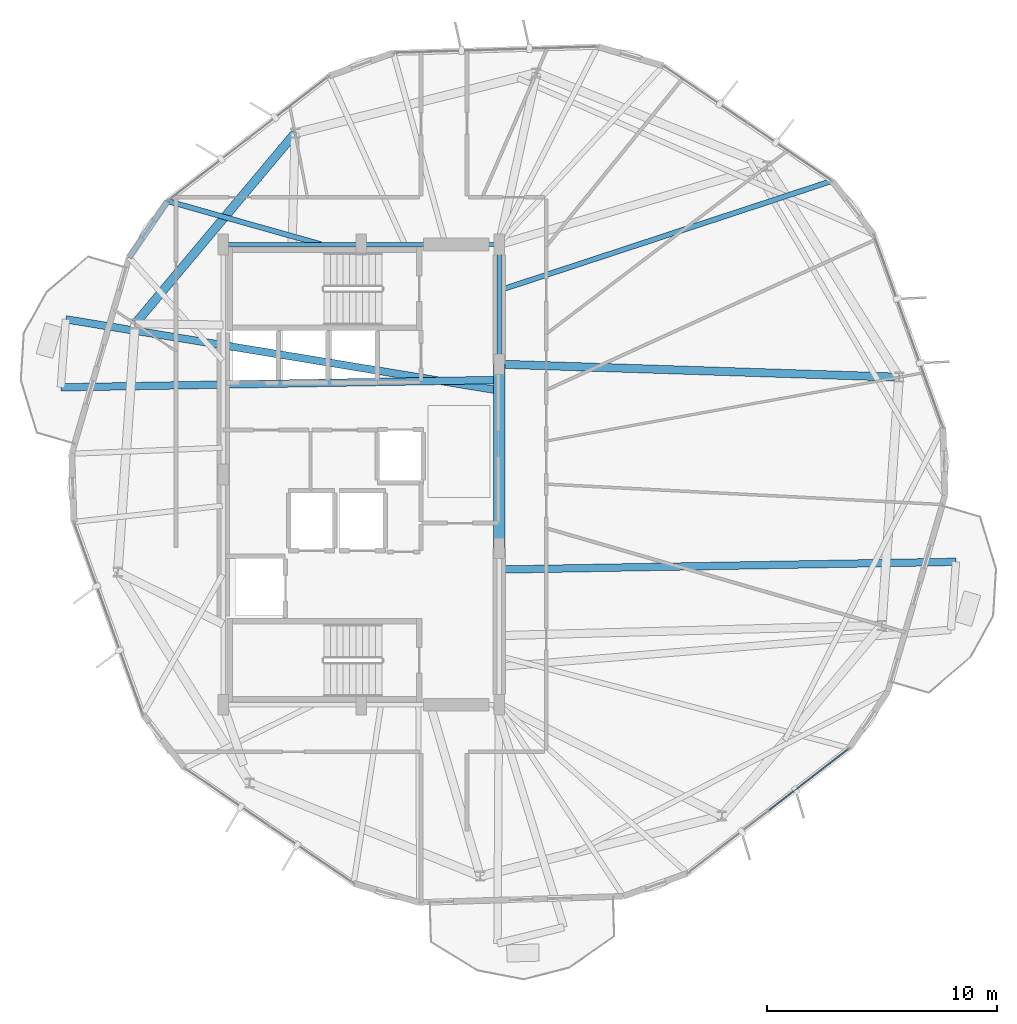
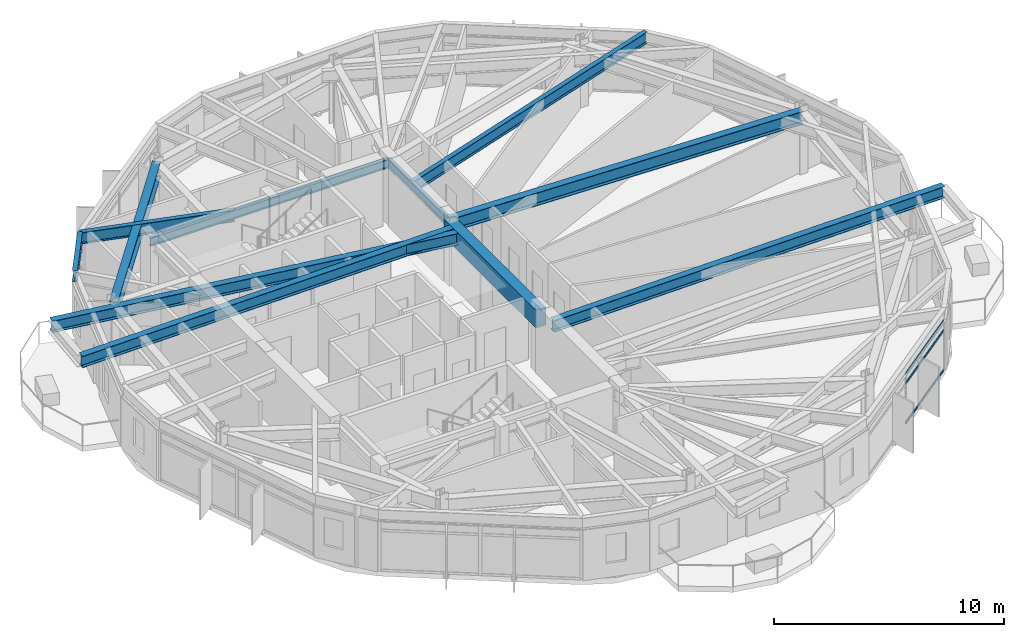
# One storey, part 8 of 23: 12 beams, 3 members, 1 element without a shape of its own.
"""IFC4 building model written with IfcOpenShell, lengths in metres."""

import ifcopenshell
import ifcopenshell.guid

model = None  # the IFC model being written
_history = None  # IfcOwnerHistory: only IFC2X3 demands one
_inside = {}  # id of a spatial element -> (the spatial element, [elements in it])
_under = {}  # id of a project, library or spatial element -> (it, [spatial elements below it])
_declared = {}  # id of a project -> (the project, [libraries it declares])
_typed = {}  # id of a type object -> (the type object, [elements of that type])
_made_of = {}  # id of a material, layer set ... -> (it, [elements and type objects made of it])


def new_model(schema):
    """Start an empty IFC model of exactly this schema.

    Asked for "IFC4X3", IfcOpenShell would pick the latest addendum, in which some entities
    have other attributes; the version numbers below select the first issue.
    IFC2X3 requires an IfcOwnerHistory on every rooted entity: one is made here for all.
    """
    global model, _history
    if schema == "IFC4X3":
        model = ifcopenshell.file(schema_version=(4, 3, 0, 0))
    else:
        model = ifcopenshell.file(schema=schema)
    _inside.clear()
    _under.clear()
    _declared.clear()
    _typed.clear()
    _made_of.clear()
    _history = None
    if model.schema == "IFC2X3":
        org = make("IfcOrganization", Name="unknown")
        user = make(
            "IfcPersonAndOrganization",
            ThePerson=make("IfcPerson", FamilyName="unknown"),
            TheOrganization=org,
        )
        app = make(
            "IfcApplication",
            ApplicationDeveloper=org,
            Version="unknown",
            ApplicationFullName="unknown",
            ApplicationIdentifier="unknown",
        )
        _history = make(
            "IfcOwnerHistory",
            OwningUser=user,
            OwningApplication=app,
            ChangeAction="ADDED",
            CreationDate=0,
        )
    return model


def make(cls, **values):
    """One entity of the class cls with the attributes given. An attribute that is None is left unset."""
    return model.create_entity(
        cls, **{name: value for name, value in values.items() if value is not None}
    )


def rooted(cls, **values):
    """An entity with a GlobalId (a new one), such as an element, a storey or a relation."""
    return make(cls, GlobalId=ifcopenshell.guid.new(), OwnerHistory=_history, **values)


def si_unit(unit_type, name, prefix=None):
    """IfcSIUnit, for example si_unit("LENGTHUNIT", "METRE", prefix="MILLI")."""
    return make("IfcSIUnit", UnitType=unit_type, Prefix=prefix, Name=name)


def assignment(units):
    """IfcUnitAssignment: the units of a project."""
    return None if units is None else make("IfcUnitAssignment", Units=units)


def point(xyz):
    """IfcCartesianPoint."""
    return None if xyz is None else make("IfcCartesianPoint", Coordinates=xyz)


def direction(xyz):
    """IfcDirection."""
    return None if xyz is None else make("IfcDirection", DirectionRatios=xyz)


def frame(location, z_axis=None, x_axis=None):
    """IfcAxis2Placement3D, a coordinate frame: its origin and axes. An axis left out is left unset."""
    return make(
        "IfcAxis2Placement3D",
        Location=point(location),
        Axis=direction(z_axis),
        RefDirection=direction(x_axis),
    )


def frame_2d(location, x_axis=None):
    """IfcAxis2Placement2D, a coordinate frame in the plane: its origin and x axis."""
    return make(
        "IfcAxis2Placement2D", Location=point(location), RefDirection=direction(x_axis)
    )


def origin():
    """The frame at (0, 0, 0) with its axes left unset."""
    return frame((0.0, 0.0, 0.0))


def origin_2d():
    """The frame at (0, 0) in the plane with its x axis left unset."""
    return frame_2d((0.0, 0.0))


def place(relative_to, where):
    """IfcLocalPlacement: puts the frame where relative to a parent placement (None: the world)."""
    return make(
        "IfcLocalPlacement", PlacementRelTo=relative_to, RelativePlacement=where
    )


def context(
    kind, dimensions, precision=None, world=None, true_north=None, identifier=None
):
    """IfcGeometricRepresentationContext, for example the 3D "Model" context."""
    return make(
        "IfcGeometricRepresentationContext",
        ContextIdentifier=identifier,
        ContextType=kind,
        CoordinateSpaceDimension=dimensions,
        Precision=precision,
        WorldCoordinateSystem=world,
        TrueNorth=true_north,
    )


def subcontext(parent, identifier, kind, view, scale=None):
    """IfcGeometricRepresentationSubContext, for example "Body" below "Model"."""
    return make(
        "IfcGeometricRepresentationSubContext",
        ContextIdentifier=identifier,
        ContextType=kind,
        ParentContext=parent,
        TargetScale=scale,
        TargetView=view,
    )


def project(units=None, contexts=None):
    """IfcProject with its units and contexts."""
    return rooted(
        "IfcProject",
        Name="project",
        RepresentationContexts=contexts,
        UnitsInContext=assignment(units),
    )


def spatial(cls, under=None, at=None, **own):
    """A site, building, storey or space (cls), placed at a placement, below another one or the project."""
    s = rooted(cls, ObjectPlacement=at, **own)
    if under is not None:
        _under.setdefault(under.id(), (under, []))[1].append(s)
    return s


def profile(cls, at=None, kind="AREA", **sizes):
    """A parametric profile (cls). Its sizes go by their IFC names, for example OverallWidth=200.0."""
    return make(cls, ProfileType=kind, Position=at, **sizes)


def rectangle(**sizes):
    """IfcRectangleProfileDef."""
    return profile("IfcRectangleProfileDef", **sizes)


def hollow_rectangle(**sizes):
    """IfcRectangleHollowProfileDef."""
    return profile("IfcRectangleHollowProfileDef", **sizes)


def i_section(**sizes):
    """IfcIShapeProfileDef."""
    return profile("IfcIShapeProfileDef", **sizes)


def extrude(swept, where, along, depth):
    """IfcExtrudedAreaSolid: the profile swept, set in the frame where, extruded along a direction by depth."""
    return make(
        "IfcExtrudedAreaSolid",
        SweptArea=swept,
        Position=where,
        ExtrudedDirection=direction(along),
        Depth=depth,
    )


def shape(context_of_items, identifier, shape_type, items):
    """IfcShapeRepresentation: the items that make up one representation, for example the "Body"."""
    return make(
        "IfcShapeRepresentation",
        ContextOfItems=context_of_items,
        RepresentationIdentifier=identifier,
        RepresentationType=shape_type,
        Items=items,
    )


def material(Name=None, Category=None):
    """IfcMaterial."""
    return make("IfcMaterial", Name=Name, Category=Category)


def layer(
    of_material, thickness, ventilated=None, Name=None, Category=None, Priority=None
):
    """IfcMaterialLayer: one layer of a wall or slab, of a material (None: an air gap)."""
    return make(
        "IfcMaterialLayer",
        Material=of_material,
        LayerThickness=thickness,
        IsVentilated=ventilated,
        Name=Name,
        Category=Category,
        Priority=Priority,
    )


def layer_set(layers, Name=None):
    """IfcMaterialLayerSet."""
    return make("IfcMaterialLayerSet", MaterialLayers=layers, LayerSetName=Name)


def material_profile(
    of_material, cross_section, Name=None, Category=None, Priority=None
):
    """IfcMaterialProfile: a cross section and its material."""
    return make(
        "IfcMaterialProfile",
        Name=Name,
        Material=of_material,
        Profile=cross_section,
        Priority=Priority,
        Category=Category,
    )


def profile_set(profiles, Name=None, composite=None):
    """IfcMaterialProfileSet."""
    return make(
        "IfcMaterialProfileSet",
        Name=Name,
        MaterialProfiles=profiles,
        CompositeProfile=composite,
    )


def made_of(thing, what):
    """Note that an element or type object is made of a material, layer set ...; save() writes the relation."""
    if what is not None:
        _made_of.setdefault(what.id(), (what, []))[1].append(thing)
    return thing


def type_object(cls, material=None, **own):
    """A type object (cls), such as IfcWallType, which elements share."""
    return made_of(rooted(cls, **own), material)


def element(
    cls,
    number,
    at=None,
    inside=None,
    cuts=None,
    type_object=None,
    material=None,
    context=None,
    identifier="Body",
    shape_type=None,
    held_by="IfcProductDefinitionShape",
    body=None,
    shapes=None,
    **own,
):
    """One element of the class cls, such as IfcWall. Its Tag is "e" and its number.

    at: its placement. inside: the storey or other place that contains it. cuts: it is an
    opening in that element (IfcRelVoidsElement). A single representation is given by context,
    identifier, shape_type and body (its items); several are given by shapes. held_by: the class
    of the entity that holds the representations. save() writes the other relations.
    """
    e = rooted(cls, Tag="e%d" % number, ObjectPlacement=at, **own)
    if body is not None:
        shapes = [shape(context, identifier, shape_type, body)]
    if shapes is not None:
        e.Representation = make(held_by, Representations=shapes)
    if inside is not None:
        _inside.setdefault(inside.id(), (inside, []))[1].append(e)
    if cuts is not None:
        rooted(
            "IfcRelVoidsElement", RelatingBuildingElement=cuts, RelatedOpeningElement=e
        )
    if type_object is not None:
        _typed.setdefault(type_object.id(), (type_object, []))[1].append(e)
    return made_of(e, material)


def aggregate(whole, parts):
    """IfcRelAggregates: a whole, such as a stair, and the parts it consists of."""
    return rooted("IfcRelAggregates", RelatingObject=whole, RelatedObjects=parts)


def save(model, path):
    """Write the relations noted so far, then the file.

    IfcRelAggregates (storeys below a building ...), IfcRelContainedInSpatialStructure (elements
    in a storey), IfcRelDefinesByType, IfcRelAssociatesMaterial and IfcRelDeclares: one each for
    every whole, place, type object, material and project.
    """
    for whole, parts in _under.values():
        aggregate(whole, parts)
    for where, things in _inside.values():
        rooted(
            "IfcRelContainedInSpatialStructure",
            RelatedElements=things,
            RelatingStructure=where,
        )
    for kind, things in _typed.values():
        rooted("IfcRelDefinesByType", RelatedObjects=things, RelatingType=kind)
    for what, things in _made_of.values():
        rooted("IfcRelAssociatesMaterial", RelatedObjects=things, RelatingMaterial=what)
    for by, libraries in _declared.values():
        rooted("IfcRelDeclares", RelatingContext=by, RelatedDefinitions=libraries)
    model.write(path)


model = new_model("IFC4")

# Units and contexts
model_context = context("Model", 3, precision=1e-05, world=origin(), true_north=direction((0.0, 1.0)))
body_context = subcontext(model_context, "Body", "Model", "MODEL_VIEW")
ifc_project = project(units=[si_unit("LENGTHUNIT", "METRE"), si_unit("AREAUNIT", "SQUARE_METRE"), si_unit("VOLUMEUNIT", "CUBIC_METRE"), si_unit("PLANEANGLEUNIT", "RADIAN"), si_unit("MASSUNIT", "GRAM", prefix="KILO")], contexts=[model_context])

# Site, building, storey
site_placement = place(None, origin())
site = spatial("IfcSite", under=ifc_project, at=site_placement, CompositionType="ELEMENT")
building_placement = place(site_placement, origin())
building = spatial("IfcBuilding", under=site, at=building_placement, Name="Soratama Intermodal Tower", CompositionType="ELEMENT")
storey_placement = place(building_placement, frame((0.0, 0.0, 171.39990234375)))
storey = spatial("IfcBuildingStorey", under=building, at=storey_placement, Name="L42", CompositionType="ELEMENT", Elevation=171.39990234375)

# Beams
ifc_material_1 = material(Name="Structural steel ASTM A992 Grade 50", Category="steel")
ifc_material_profile_1 = material_profile(ifc_material_1, i_section(OverallWidth=0.324951171875, OverallDepth=0.615966796875, WebThickness=0.013916015625, FlangeThickness=0.021484375, FilletRadius=0.013916015625, at=origin_2d()), Name="W24X117")
ifc_profile_set_1 = profile_set([ifc_material_profile_1], Name="Structural steel ASTM A992 Grade 50")
beam_type_1 = type_object("IfcBeamType", Name="BM-CANT-W24X117", PredefinedType="BEAM", material=ifc_profile_set_1)
beam_1_placement = place(storey_placement, frame((44.639892578125, 20.8720703125, 2.9921875), z_axis=(0.999856305587, 0.016951937265, 0.0), x_axis=(-0.016951937265, 0.999856305587, 0.0)))
element("IfcBeam", 1, at=beam_1_placement, inside=storey, type_object=beam_type_1, Name="BM-L42-CANT-1-2", PredefinedType="BEAM", context=body_context, shape_type="SweptSolid", body=[
    extrude(i_section(OverallWidth=0.324951171875, OverallDepth=0.615966796875, WebThickness=0.013916015625, FlangeThickness=0.021484375, FilletRadius=0.013916015625, at=origin_2d()), origin(), (0.0, 0.0, 1.0), 19.817138671875),
])
beam_2_placement = place(storey_placement, frame((44.367919921875, 28.69091796875, 2.9921875), z_axis=(-0.986758919318, 0.162193819691, 0.0), x_axis=(-0.162193819691, -0.986758919318, 0.0)))
element("IfcBeam", 2, at=beam_2_placement, inside=storey, type_object=beam_type_1, Name="BM-L42-CANT-2-1", PredefinedType="BEAM", context=body_context, shape_type="SweptSolid", body=[
    extrude(i_section(OverallWidth=0.324951171875, OverallDepth=0.615966796875, WebThickness=0.013916015625, FlangeThickness=0.021484375, FilletRadius=0.013916015625, at=origin_2d()), origin(), (0.0, 0.0, 1.0), 18.854736328125),
])
beam_3_placement = place(storey_placement, frame((44.364990234375, 29.111083984375, 2.9921875), z_axis=(-0.999856282276, -0.016953312156, 0.0), x_axis=(0.016953312156, -0.999856282276, 0.0)))
element("IfcBeam", 3, at=beam_3_placement, inside=storey, type_object=beam_type_1, Name="BM-L42-CANT-2-2", PredefinedType="BEAM", context=body_context, shape_type="SweptSolid", body=[
    extrude(i_section(OverallWidth=0.324951171875, OverallDepth=0.615966796875, WebThickness=0.013916015625, FlangeThickness=0.021484375, FilletRadius=0.013916015625, at=origin_2d()), origin(), (0.0, 0.0, 1.0), 18.82177734375),
])
ifc_material_2 = material(Name="Concrete f'c 56 MPa", Category="concrete")
ifc_material_profile_2 = material_profile(ifc_material_2, rectangle(XDim=0.5, YDim=0.949951171875, at=origin_2d()), Name="RC500X950")
ifc_profile_set_2 = profile_set([ifc_material_profile_2], Name="Concrete f'c 56 MPa")
beam_type_2 = type_object("IfcBeamType", Name="BM-CPL-RC500X950", PredefinedType="BEAM", material=ifc_profile_set_2)
beam_4_placement = place(storey_placement, frame((44.60009765625, 21.800048828125, 2.8251953125), z_axis=(0.0, 1.0, 0.0), x_axis=(-1.0, 0.0, 0.0)))
element("IfcBeam", 4, at=beam_4_placement, inside=storey, type_object=beam_type_2, Name="L42 Core Coupling Beam East", PredefinedType="BEAM", context=body_context, shape_type="SweptSolid", body=[
    extrude(rectangle(XDim=0.5, YDim=0.949951171875, at=origin_2d()), origin(), (0.0, 0.0, 1.0), 8.0),
])
ifc_material_3 = material(Name="Structural steel ASTM A992 Grade 50", Category="steel")
ifc_material_profile_3 = material_profile(ifc_material_3, i_section(OverallWidth=0.19091796875, OverallDepth=0.4599609375, WebThickness=0.010009765625, FlangeThickness=0.01611328125, FilletRadius=0.010986328125, at=origin_2d()), Name="W18X55")
ifc_profile_set_3 = profile_set([ifc_material_profile_3], Name="Structural steel ASTM A992 Grade 50")
beam_type_3 = type_object("IfcBeamType", Name="BM-FLR-W18X55", PredefinedType="BEAM", material=ifc_profile_set_3)
beam_5_placement = place(storey_placement, frame((44.60009765625, 29.800048828125, 3.070068359375), z_axis=(0.0, 1.0, 0.0), x_axis=(-1.0, 0.0, 0.0)))
element("IfcBeam", 5, at=beam_5_placement, inside=storey, type_object=beam_type_3, Name="BM-L42-CRING-05", PredefinedType="BEAM", context=body_context, shape_type="SweptSolid", body=[
    extrude(i_section(OverallWidth=0.19091796875, OverallDepth=0.4599609375, WebThickness=0.010009765625, FlangeThickness=0.01611328125, FilletRadius=0.010986328125, at=origin_2d()), origin(), (0.0, 0.0, 1.0), 5.199951171875),
])
for number, where, z_axis, x_axis, name in (
    (6, (44.60009765625, 35.0, 3.070068359375), (-1.0, 0.0, 0.0), (0.0, -1.0, 0.0), "BM-L42-CRING-06"),
    (7, (38.60009765625, 35.0, 3.070068359375), (-1.0, 0.0, 0.0), (0.0, -1.0, 0.0), "BM-L42-CRING-07"),
):
    element("IfcBeam", number, at=place(storey_placement, frame(where, z_axis=z_axis, x_axis=x_axis)), inside=storey, type_object=beam_type_3, Name=name, PredefinedType="BEAM", context=body_context, shape_type="SweptSolid", body=[
        extrude(i_section(OverallWidth=0.19091796875, OverallDepth=0.4599609375, WebThickness=0.010009765625, FlangeThickness=0.01611328125, FilletRadius=0.010986328125, at=origin_2d()), origin(), (0.0, 0.0, 1.0), 6.0),
    ])
ifc_material_4 = material(Name="Structural steel ASTM A992 Grade 50", Category="steel")
ifc_material_profile_4 = material_profile(ifc_material_4, i_section(OverallWidth=0.35498046875, OverallDepth=0.695068359375, WebThickness=0.015380859375, FlangeThickness=0.02490234375, FilletRadius=0.01611328125, at=origin_2d()), Name="W27X146")
ifc_profile_set_4 = profile_set([ifc_material_profile_4], Name="Structural steel ASTM A992 Grade 50")
beam_type_4 = type_object("IfcBeamType", Name="BM-RING-W27X146", PredefinedType="BEAM", material=ifc_profile_set_4)
beam_6_placement = place(storey_placement, frame((44.60009765625, 29.800048828125, 2.95263671875), z_axis=(0.999469833309, -0.032558444449, 0.0), x_axis=(0.032558444449, 0.999469833309, 0.0)))
element("IfcBeam", 8, at=beam_6_placement, inside=storey, type_object=beam_type_4, Name="BM-L42-RAD-01", PredefinedType="BEAM", context=body_context, shape_type="SweptSolid", body=[
    extrude(i_section(OverallWidth=0.35498046875, OverallDepth=0.695068359375, WebThickness=0.015380859375, FlangeThickness=0.02490234375, FilletRadius=0.01611328125, at=origin_2d()), origin(), (0.0, 0.0, 1.0), 17.38916015625),
])
ifc_material_5 = material(Name="Structural steel ASTM A992 Grade 50", Category="steel")
ifc_material_profile_5 = material_profile(ifc_material_5, i_section(OverallWidth=0.382080078125, OverallDepth=0.779052734375, WebThickness=0.01806640625, FlangeThickness=0.030029296875, FilletRadius=0.01806640625, at=origin_2d()), Name="W30X191")
ifc_profile_set_5 = profile_set([ifc_material_profile_5], Name="Structural steel ASTM A992 Grade 50")
beam_type_5 = type_object("IfcBeamType", Name="BM-RING-W30X191", PredefinedType="BEAM", material=ifc_profile_set_5)
beam_7_placement = place(storey_placement, frame((35.72607421875, 39.841064453125, 2.91064453125), z_axis=(-0.642791781199, -0.766040942785, 0.0), x_axis=(0.766040942785, -0.642791781199, 0.0)))
element("IfcBeam", 9, at=beam_7_placement, inside=storey, type_object=beam_type_5, Name="BM-L42-RING-04", PredefinedType="BEAM", context=body_context, shape_type="SweptSolid", body=[
    extrude(i_section(OverallWidth=0.382080078125, OverallDepth=0.779052734375, WebThickness=0.01806640625, FlangeThickness=0.030029296875, FilletRadius=0.01806640625, at=origin_2d()), origin(), (0.0, 0.0, 1.0), 10.815673828125),
])
ifc_material_6 = material(Name="Structural steel ASTM A992 Grade 50", Category="steel")
ifc_material_profile_6 = material_profile(ifc_material_6, i_section(OverallWidth=0.22900390625, OverallDepth=0.612060546875, WebThickness=0.011962890625, FlangeThickness=0.01953125, FilletRadius=0.012939453125, at=origin_2d()), Name="W24X84")
ifc_profile_set_6 = profile_set([ifc_material_profile_6], Name="Structural steel ASTM A992 Grade 50")
beam_type_6 = type_object("IfcBeamType", Name="BM-SPN-W24X84", PredefinedType="SPANDREL", material=ifc_profile_set_6)
beam_8_placement = place(storey_placement, frame((30.177978515625, 36.89111328125, 2.994140625), z_axis=(-0.562877109518, -0.82654059766, 0.0), x_axis=(0.82654059766, -0.562877109518, 0.0)))
element("IfcBeam", 10, at=beam_8_placement, inside=storey, type_object=beam_type_6, Name="BS-L42-CRN03", PredefinedType="SPANDREL", context=body_context, shape_type="SweptSolid", body=[
    extrude(i_section(OverallWidth=0.22900390625, OverallDepth=0.612060546875, WebThickness=0.011962890625, FlangeThickness=0.01953125, FilletRadius=0.012939453125, at=origin_2d()), origin(), (0.0, 0.0, 1.0), 2.966796875),
])
ifc_material_7 = material(Name="Structural steel ASTM A992 Grade 50", Category="steel")
ifc_material_profile_7 = material_profile(ifc_material_7, i_section(OverallWidth=0.22900390625, OverallDepth=0.612060546875, WebThickness=0.011962890625, FlangeThickness=0.01953125, FilletRadius=0.012939453125, at=origin_2d()), Name="W24X84")
ifc_profile_set_7 = profile_set([ifc_material_profile_7], Name="Structural steel ASTM A992 Grade 50")
beam_type_7 = type_object("IfcBeamType", Name="BM-TIE-W24X84", PredefinedType="BEAM", material=ifc_profile_set_7)
beam_9_placement = place(storey_placement, frame((44.637939453125, 33.01806640625, 2.994140625), z_axis=(0.949894035362, 0.312572106214, 0.0), x_axis=(-0.312572106214, 0.949894035362, 0.0)))
element("IfcBeam", 11, at=beam_9_placement, inside=storey, type_object=beam_type_7, Name="BM-L42-TIE0-01", PredefinedType="BEAM", context=body_context, shape_type="SweptSolid", body=[
    extrude(i_section(OverallWidth=0.22900390625, OverallDepth=0.612060546875, WebThickness=0.011962890625, FlangeThickness=0.01953125, FilletRadius=0.012939453125, at=origin_2d()), origin(), (0.0, 0.0, 1.0), 15.196533203125),
])
beam_10_placement = place(storey_placement, frame((36.847900390625, 35.010986328125, 2.994140625), z_axis=(-0.962492382443, 0.271308705607, 0.0), x_axis=(-0.271308705607, -0.962492382443, 0.0)))
element("IfcBeam", 12, at=beam_10_placement, inside=storey, type_object=beam_type_7, Name="BM-L42-TIE1-03", PredefinedType="BEAM", context=body_context, shape_type="SweptSolid", body=[
    extrude(i_section(OverallWidth=0.22900390625, OverallDepth=0.612060546875, WebThickness=0.011962890625, FlangeThickness=0.01953125, FilletRadius=0.012939453125, at=origin_2d()), origin(), (0.0, 0.0, 1.0), 6.929931640625),
])

# Curtain wall, members
ifc_material_8 = material(Name="Double-glazed aluminium curtain wall", Category="aluminium")
ifc_layer = layer(ifc_material_8, 0.159912109375)
ifc_layer_set = layer_set([ifc_layer], Name="Double-glazed aluminium curtain wall")
curtain_wall_type = type_object("IfcCurtainWallType", Name="CW-SYS-4", PredefinedType="NOTDEFINED", material=ifc_layer_set)
curtain_wall_placement = place(storey_placement, origin())
curtain_wall = element("IfcCurtainWall", 13, at=curtain_wall_placement, inside=storey, type_object=curtain_wall_type, Name="L42 Faceted Curtain Wall F08", PredefinedType="NOTDEFINED")
ifc_material_9 = material(Name="Anodised aluminium AA 6063-T6", Category="aluminium")
ifc_material_profile_8 = material_profile(ifc_material_9, hollow_rectangle(XDim=0.06005859375, YDim=0.1298828125, WallThickness=0.0048828125, InnerFilletRadius=0.0048828125, OuterFilletRadius=0.010009765625, at=origin_2d()), Name="CWT130X60X5")
ifc_profile_set_8 = profile_set([ifc_material_profile_8], Name="Anodised aluminium AA 6063-T6")
member_type = type_object("IfcMemberType", Name="TT-CWT-2", PredefinedType="USERDEFINED", material=ifc_profile_set_8)
member_1_placement = place(storey_placement, frame((56.33203125, 10.408203125, 0.030029296875), z_axis=(0.790802514089, 0.612071387757, 0.0), x_axis=(-0.612071387757, 0.790802514089, 0.0)))
member_1 = element("IfcMember", 14, at=member_1_placement, type_object=member_type, Name="CW-4 transom 2.1", ObjectType="TRANSOM", PredefinedType="USERDEFINED", context=body_context, shape_type="SweptSolid", body=[
    extrude(hollow_rectangle(XDim=0.06005859375, YDim=0.1298828125, WallThickness=0.0048828125, InnerFilletRadius=0.0048828125, OuterFilletRadius=0.010009765625, at=origin_2d()), origin(), (0.0, 0.0, 1.0), 4.353271484375),
])
member_2_placement = place(storey_placement, frame((56.33203125, 10.408203125, 2.150146484375), z_axis=(0.790802514089, 0.612071387757, 0.0), x_axis=(-0.612071387757, 0.790802514089, 0.0)))
member_2 = element("IfcMember", 15, at=member_2_placement, type_object=member_type, Name="CW-4 transom 2.2", ObjectType="TRANSOM", PredefinedType="USERDEFINED", context=body_context, shape_type="SweptSolid", body=[
    extrude(hollow_rectangle(XDim=0.06005859375, YDim=0.1298828125, WallThickness=0.0048828125, InnerFilletRadius=0.0048828125, OuterFilletRadius=0.010009765625, at=origin_2d()), origin(), (0.0, 0.0, 1.0), 4.353271484375),
])
member_3_placement = place(storey_placement, frame((56.33203125, 10.408203125, 2.649169921875), z_axis=(0.790802514089, 0.612071387757, 0.0), x_axis=(-0.612071387757, 0.790802514089, 0.0)))
member_3 = element("IfcMember", 16, at=member_3_placement, type_object=member_type, Name="CW-4 transom 2.3", ObjectType="TRANSOM", PredefinedType="USERDEFINED", context=body_context, shape_type="SweptSolid", body=[
    extrude(hollow_rectangle(XDim=0.06005859375, YDim=0.1298828125, WallThickness=0.0048828125, InnerFilletRadius=0.0048828125, OuterFilletRadius=0.010009765625, at=origin_2d()), origin(), (0.0, 0.0, 1.0), 4.353271484375),
])
aggregate(curtain_wall, [member_1, member_2, member_3])

save(model, "model.ifc")
